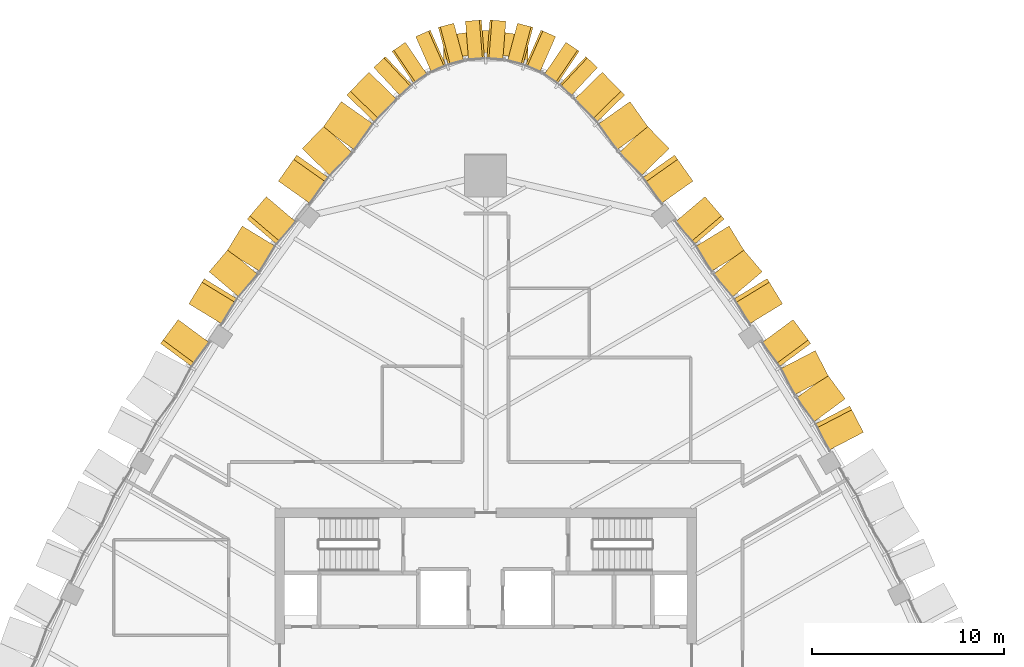
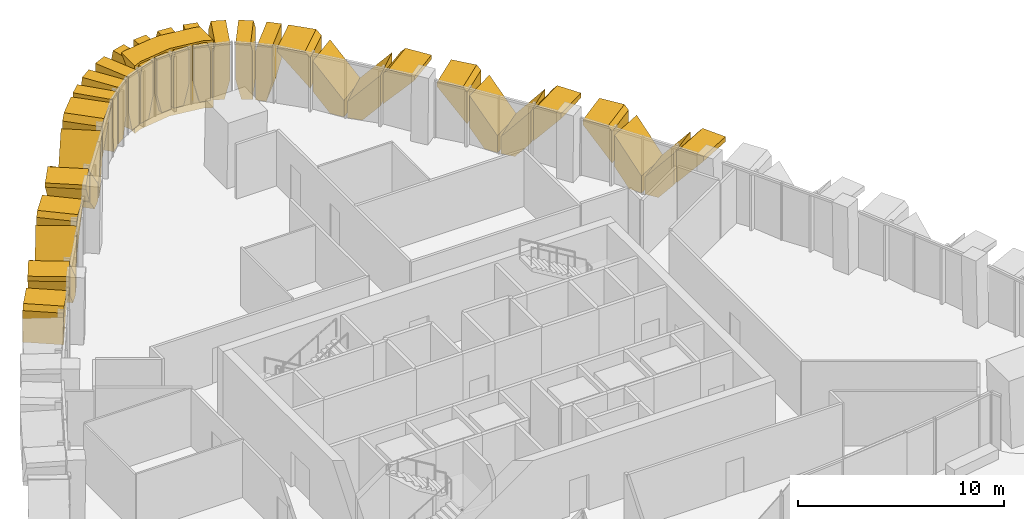
# One storey, part 21 of 22: 32 coverings.
"""IFC4 building model written with IfcOpenShell, lengths in metres."""

from ifc_helpers import new_model, si_unit, direction, frame, origin, place, context, subcontext, project, spatial, polyline, outline, extrude, material, layer, layer_set, type_object, element, save


model = new_model("IFC4")

# Units and contexts
model_context = context("Model", 3, precision=1e-05, world=origin(), true_north=direction((0.0, 1.0)))
body_context = subcontext(model_context, "Body", "Model", "MODEL_VIEW")
ifc_project = project(units=[si_unit("LENGTHUNIT", "METRE"), si_unit("AREAUNIT", "SQUARE_METRE"), si_unit("VOLUMEUNIT", "CUBIC_METRE"), si_unit("PLANEANGLEUNIT", "RADIAN"), si_unit("MASSUNIT", "GRAM", prefix="KILO")], contexts=[model_context])

# Site, building, storey
site_placement = place(None, origin())
site = spatial("IfcSite", under=ifc_project, at=site_placement, CompositionType="ELEMENT")
building_placement = place(site_placement, origin())
building = spatial("IfcBuilding", under=site, at=building_placement, Name="Sierra Prisma Convention Tower", CompositionType="ELEMENT")
storey_placement = place(building_placement, frame((0.0, 0.0, 243.0)))
storey = spatial("IfcBuildingStorey", under=building, at=storey_placement, Name="L54", CompositionType="ELEMENT", Elevation=243.0)

# Coverings
ifc_material_1 = material(Name="Aluminium composite bronze anodised", Category="aluminium")
ifc_layer_1 = layer(ifc_material_1, 1.199951171875)
ifc_layer_set_1 = layer_set([ifc_layer_1], Name="Bronze corner pier")
covering_type_1 = type_object("IfcCoveringType", Name="Bronze corner pier", PredefinedType="CLADDING", material=ifc_layer_set_1)
covering_1_placement = place(storey_placement, frame((0.0, 0.0, -0.60009765625)))
element("IfcCovering", 1, at=covering_1_placement, inside=storey, type_object=covering_type_1, Name="Corner pier N L54.1", PredefinedType="CLADDING", context=body_context, shape_type="SweptSolid", body=[
    extrude(outline(polyline([(-0.16796875, 32.9140625), (0.16796875, 32.9140625), (1.93359375, 32.66455078125), (2.199951171875, 32.587890625), (2.199951171875, 31.28173828125), (1.765380859375, 31.476318359375), (0.0, 31.725830078125), (-1.765380859375, 31.476318359375), (-2.199951171875, 31.28173828125), (-2.199951171875, 32.587890625), (-1.93359375, 32.66455078125), (-0.16796875, 32.9140625)])), origin(), (0.0, 0.0, 1.0), 4.0),
])
ifc_material_2 = material(Name="Aluminium 6063-T6 bronze anodised", Category="aluminium")
ifc_layer_2 = layer(ifc_material_2, 2.0)
ifc_layer_set_2 = layer_set([ifc_layer_2], Name="Bronze crystal chevron frame")
covering_type_2 = type_object("IfcCoveringType", Name="Bronze crystal chevron frame", PredefinedType="CLADDING", material=ifc_layer_set_2)
covering_2_placement = place(storey_placement, frame((19.70654296875, 11.9443359375, 3.280029296875), z_axis=(0.887407011781, 0.460986762327, -2.003971e-05), x_axis=(-1.7783379e-05, -9.238041e-06, -0.999999999799)))
element("IfcCovering", 2, at=covering_2_placement, inside=storey, type_object=covering_type_2, Name="CW-2 chevron frame NE4.1.1", PredefinedType="CLADDING", context=body_context, shape_type="SweptSolid", body=[
    extrude(outline(polyline([(0.0, 0.0), (0.2873535155673009, 4.867957904874568e-22), (2.1379394528027773, 1.546434609493759), (0.2666015625535323, 1.546434609493759), (-8.669087985209228e-10, 1.3235647104055284), (0.0, 0.0)])), origin(), (0.0, 0.0, -1.0), 2.0),
])
covering_3_placement = place(storey_placement, frame((18.7587890625, 13.69287109375, 2.85791015625), z_axis=(0.804377322373, 0.594118777365, 4.0412419e-05), x_axis=(3.2506834e-05, 2.4009777e-05, -0.999999999183)))
element("IfcCovering", 3, at=covering_3_placement, inside=storey, type_object=covering_type_2, Name="CW-2 chevron frame NE4.1.2", PredefinedType="CLADDING", context=body_context, shape_type="SweptSolid", body=[
    extrude(outline(polyline([(0.0, 0.0), (1.8713378890968995, 0.0), (2.857910160228843, 0.8245350232034887), (2.8579101555275166, 1.5463797416725895), (1.8505859376000793, 1.5463797416725895), (0.0, 0.0)])), origin(), (0.0, 0.0, -1.0), 2.0),
])
covering_4_placement = place(storey_placement, frame((17.90576171875, 14.831298828125, 0.0), z_axis=(0.88733288697, 0.461129425403, -2.7007512e-05), x_axis=(-0.461129425572, 0.887332887293, -2.908e-09)))
element("IfcCovering", 4, at=covering_4_placement, inside=storey, type_object=covering_type_2, Name="CW-2 chevron frame NE4.2.1", PredefinedType="CLADDING", context=body_context, shape_type="SweptSolid", body=[
    extrude(outline(polyline([(0.0, 0.0), (0.7220073322111573, 0.0), (1.546547167924217, 0.9865722704824117), (1.5465471624820681, 2.8579101604249297), (-2.929459502706784e-09, 1.007324218382626), (0.0, 0.0)])), origin(), (0.0, 0.0, -1.0), 2.0),
])
covering_5_placement = place(storey_placement, frame((16.0390625, 17.82373046875, 3.280029296875), z_axis=(0.804315065709, 0.594203058426, -2.0764976e-05), x_axis=(0.594203058554, -0.804315065882, 7.03e-10)))
element("IfcCovering", 5, at=covering_5_placement, inside=storey, type_object=covering_type_2, Name="CW-2 chevron frame NE4.2.2", PredefinedType="CLADDING", context=body_context, shape_type="SweptSolid", body=[
    extrude(outline(polyline([(0.0, 0.0), (1.323764711175102, -1.6940658945086007e-21), (1.5465247979246055, 0.2666015636449027), (1.5465247966087905, 2.1379394538664567), (-2.0205013322461765e-10, 0.28735351556304883), (0.0, 0.0)])), origin(), (0.0, 0.0, -1.0), 2.0),
])
covering_6_placement = place(storey_placement, frame((15.485107421875, 18.648681640625, 3.280029296875), z_axis=(0.853797855717, 0.520604665918, 5.8280275e-05), x_axis=(4.9759574e-05, 3.0340983e-05, -0.999999998302)))
element("IfcCovering", 6, at=covering_6_placement, inside=storey, type_object=covering_type_2, Name="CW-2 chevron frame NE5.1.1", PredefinedType="CLADDING", context=body_context, shape_type="SweptSolid", body=[
    extrude(outline(polyline([(0.0, 0.0), (0.29028320263201346, 9.835177483255499e-22), (2.1401367160110016, 1.5386694778311027), (0.2636718754477927, 1.5386694778311027), (-7.359555786188091e-09, 1.319434776697294), (0.0, 0.0)])), origin(), (0.0, 0.0, -1.0), 2.0),
])
covering_7_placement = place(storey_placement, frame((14.424072265625, 20.32177734375, 2.860107421875), z_axis=(0.761991402666, 0.647587138373, -2.1811883e-05), x_axis=(-1.6620467e-05, -1.4125095e-05, -0.999999999762)))
element("IfcCovering", 7, at=covering_7_placement, inside=storey, type_object=covering_type_2, Name="CW-2 chevron frame NE5.1.2", PredefinedType="CLADDING", context=body_context, shape_type="SweptSolid", body=[
    extrude(outline(polyline([(0.0, 0.0), (1.8764648433036284, 0.0), (2.8601074230359966, 0.8183685841348044), (2.860107421662616, 1.5388904803092354), (1.8498535156529348, 1.5388904803092354), (0.0, 0.0)])), origin(), (0.0, 0.0, -1.0), 2.0),
])
covering_8_placement = place(storey_placement, frame((13.500244140625, 21.3935546875, 0.0), z_axis=(0.853851317165, 0.5205169814, 1.5829665e-05), x_axis=(-0.520516981465, 0.853851317272, -1.004e-09)))
element("IfcCovering", 8, at=covering_8_placement, inside=storey, type_object=covering_type_2, Name="CW-2 chevron frame NE5.2.1", PredefinedType="CLADDING", context=body_context, shape_type="SweptSolid", body=[
    extrude(outline(polyline([(0.0, 0.0), (0.7205125495739373, 0.0), (1.5388779301020332, 0.9836425797931762), (1.538877928218181, 2.860107423308076), (-1.0142311166250964e-09, 1.0102539061234264), (0.0, 0.0)])), origin(), (0.0, 0.0, -1.0), 2.0),
])
covering_9_placement = place(storey_placement, frame((11.442626953125, 24.2392578125, 3.280029296875), z_axis=(0.761833775687, 0.647772565857, -3.3847329e-05), x_axis=(0.647772566228, -0.761833776123, 1.881e-09)))
element("IfcCovering", 9, at=covering_9_placement, inside=storey, type_object=covering_type_2, Name="CW-2 chevron frame NE5.2.2", PredefinedType="CLADDING", context=body_context, shape_type="SweptSolid", body=[
    extrude(outline(polyline([(0.0, 0.0), (1.319414406900424, 3.3881317890172014e-21), (1.5388625924857067, 0.26367187804621867), (1.5388625889553673, 2.140136720721341), (-5.461323585804924e-10, 0.2902832029587198), (0.0, 0.0)])), origin(), (0.0, 0.0, -1.0), 2.0),
])
covering_10_placement = place(storey_placement, frame((10.815673828125, 25.049072265625, 3.280029296875), z_axis=(0.816358229759, 0.577545874121, 6.3173389e-05), x_axis=(5.1572116e-05, 3.648553e-05, -0.999999998005)))
element("IfcCovering", 10, at=covering_10_placement, inside=storey, type_object=covering_type_2, Name="CW-2 chevron frame NE6.1.1", PredefinedType="CLADDING", context=body_context, shape_type="SweptSolid", body=[
    extrude(outline(polyline([(0.0, 0.0), (0.24755859325601207, 0.0), (2.1076660126440214, 1.662165388581207), (0.3068847662373697, 1.662165388581207), (-8.174672575940694e-09, 1.3880320327804716), (0.0, 0.0)])), origin(), (0.0, 0.0, -1.0), 2.0),
])
covering_11_placement = place(storey_placement, frame((9.572021484375, 26.746826171875, 2.82763671875), z_axis=(0.715954398234, 0.69814704598, -4.288161e-05), x_axis=(-3.0701278e-05, -2.993767e-05, -0.999999999081)))
element("IfcCovering", 11, at=covering_11_placement, inside=storey, type_object=covering_type_2, Name="CW-2 chevron frame NE6.1.2", PredefinedType="CLADDING", context=body_context, shape_type="SweptSolid", body=[
    extrude(outline(polyline([(0.0, 0.0), (1.8007812483443326, 0.0), (2.8276367231288995, 0.9177903527347286), (2.8276367180384403, 1.6624191294531445), (1.8601074220530023, 1.6624191294531445), (0.0, 0.0)])), origin(), (0.0, 0.0, -1.0), 2.0),
])
covering_12_placement = place(storey_placement, frame((8.49072265625, 27.841552734375, 0.0), z_axis=(0.81637702307, 0.577519311418, 3.3790264e-05), x_axis=(-0.577519311748, 0.816377023537, -4.245e-09)))
element("IfcCovering", 12, at=covering_12_placement, inside=storey, type_object=covering_type_2, Name="CW-2 chevron frame NE6.2.1", PredefinedType="CLADDING", context=body_context, shape_type="SweptSolid", body=[
    extrude(outline(polyline([(0.0, 0.0), (0.7445777091293481, 0.0), (1.6621653839730064, 1.026855476392281), (1.6621653763285096, 2.827636725364231), (-4.107258838364316e-09, 0.9675292963226462), (0.0, 0.0)])), origin(), (0.0, 0.0, -1.0), 2.0),
])
covering_13_placement = place(storey_placement, frame((6.08642578125, 30.729248046875, 3.280029296875), z_axis=(0.715937335706, 0.698164544598, -3.049929e-06), x_axis=(0.698164544601, -0.715937335709, 1.4e-11)))
element("IfcCovering", 13, at=covering_13_placement, inside=storey, type_object=covering_type_2, Name="CW-2 chevron frame NE6.2.2", PredefinedType="CLADDING", context=body_context, shape_type="SweptSolid", body=[
    extrude(outline(polyline([(0.0, 0.0), (1.3879101645158527, -4.235164736271502e-22), (1.6620738903117391, 0.30688476564924494), (1.6620738902870174, 2.107666015640869), (-3.398584499945779e-12, 0.24755859374884856), (0.0, 0.0)])), origin(), (0.0, 0.0, -1.0), 2.0),
])
covering_14_placement = place(storey_placement, frame((5.836181640625, 30.974365234375, 3.280029296875), z_axis=(0.683469208735, 0.729979342636, -5.94214e-06), x_axis=(-4.06127e-06, -4.337639e-06, -0.999999999982)))
element("IfcCovering", 14, at=covering_14_placement, inside=storey, type_object=covering_type_2, Name="CW-2 chevron frame N1.1.1", PredefinedType="CLADDING", context=body_context, shape_type="SweptSolid", body=[
    extrude(outline(polyline([(0.0, 0.0), (2.1027832030878764, 0.0), (3.2800292969880185, 0.2825821993792876), (3.2800292968518105, 0.8344439774275082), (0.4362792969020154, 0.8344439774275082), (-2.6089049924209542e-11, 0.7297711228347075), (0.0, 0.0)])), origin(), (0.0, 0.0, -1.0), 2.0),
])
covering_15_placement = place(storey_placement, frame((4.880615234375, 31.8212890625, 0.0), z_axis=(0.560792470198, 0.827956401993, -4.2056823e-05), x_axis=(-0.827956402725, 0.560792470693, -9.587e-09)))
element("IfcCovering", 15, at=covering_15_placement, inside=storey, type_object=covering_type_2, Name="CW-2 chevron frame N1.1.2", PredefinedType="CLADDING", context=body_context, shape_type="SweptSolid", body=[
    extrude(outline(polyline([(0.0, 0.0), (0.5522087878768216, 1.6940658945086007e-21), (0.8345106786632012, 1.1772461022464615), (0.8345106585044846, 3.280029303511785), (0.10475473134947566, 3.2800292996622424), (-2.726213054868541e-08, 2.8437499974850207), (0.0, 0.0)])), origin(), (0.0, 0.0, -1.0), 2.0),
])
covering_16_placement = place(storey_placement, frame((3.650146484375, 32.587890625, 3.280029296875), z_axis=(0.403501857643, 0.914978825362, 4.106061e-06), x_axis=(1.656803e-06, 3.756959e-06, -0.999999999992)))
element("IfcCovering", 16, at=covering_16_placement, inside=storey, type_object=covering_type_2, Name="CW-2 chevron frame N2.1.1", PredefinedType="CLADDING", context=body_context, shape_type="SweptSolid", body=[
    extrude(outline(polyline([(0.0, 0.0), (2.1027832031072737, 0.0), (3.2800292968339617, 0.28256785732127765), (3.280029296852855, 0.8343671505437322), (0.43627929687682704, 0.8343671505437322), (-1.133951179908418e-10, 0.7297583807883705), (0.0, 0.0)])), origin(), (0.0, 0.0, -1.0), 2.0),
])
covering_17_placement = place(storey_placement, frame((1.9345703125, 33.212158203125, 0.0), z_axis=(0.255439545418, 0.966825029999, 2.210999e-06), x_axis=(-0.225491339169, 0.059573607801, 0.972422048914)))
element("IfcCovering", 17, at=covering_17_placement, inside=storey, type_object=covering_type_2, Name="CW-2 chevron frame N2.1.2", PredefinedType="CLADDING", context=body_context, shape_type="SweptSolid", body=[
    extrude(outline(polyline([(0.0, 0.0), (1.210632867422233, 0.0), (3.255425618226397, 0.4904281859576997), (3.0852696818939123, 1.1998768593085711), (2.636590328765478, 1.1999900474795706), (-0.12873487283290827, 0.5367475640202316), (0.0, 0.0)])), origin(), (0.0, 0.0, -1.0), 2.0),
])
covering_18_placement = place(storey_placement, frame((1.053466796875, 33.3876953125, 3.280029296875), z_axis=(0.078706167184, 0.996897857931, 1.0001348e-05), x_axis=(7.87168e-07, 9.970323e-06, -0.99999999995)))
element("IfcCovering", 18, at=covering_18_placement, inside=storey, type_object=covering_type_2, Name="CW-2 chevron frame N3.1.1", PredefinedType="CLADDING", context=body_context, shape_type="SweptSolid", body=[
    extrude(outline(polyline([(0.0, 0.0), (2.1027832030198326, -2.2264083174747586e-22), (3.2800292966364677, 0.28236950475241546), (3.2800292967441917, 0.8343757229282058), (0.43627929688641753, 0.8343757229282058), (-6.675255362756045e-10, 0.7297977456229896), (0.0, 0.0)])), origin(), (0.0, 0.0, -1.0), 2.0),
])
covering_19_placement = place(storey_placement, frame((-0.2216796875, 33.453369140625, 0.0), z_axis=(-0.078706167184, 0.996897857931, 1.0001348e-05), x_axis=(-0.996897857981, -0.078706167188, 1.95e-10)))
element("IfcCovering", 19, at=covering_19_placement, inside=storey, type_object=covering_type_2, Name="CW-2 chevron frame N3.1.2", PredefinedType="CLADDING", context=body_context, shape_type="SweptSolid", body=[
    extrude(outline(polyline([(0.0, 0.0), (0.5520062181757903, 5.293955920339377e-23), (0.8343757231579457, 1.1772460935615308), (0.8343757235683046, 3.280029296581363), (0.10457797794531488, 3.2800292973913088), (5.549587076341636e-10, 2.843749999857774), (0.0, 0.0)])), origin(), (0.0, 0.0, -1.0), 2.0),
])
covering_20_placement = place(storey_placement, frame((-1.66162109375, 33.284423828125, 3.280029296875), z_axis=(-0.255439545418, 0.966825029999, 2.210999e-06), x_axis=(-5.64777e-07, 2.137649e-06, -0.999999999998)))
element("IfcCovering", 20, at=covering_20_placement, inside=storey, type_object=covering_type_2, Name="CW-2 chevron frame N4.1.1", PredefinedType="CLADDING", context=body_context, shape_type="SweptSolid", body=[
    extrude(outline(polyline([(0.0, 0.0), (2.10278320311986, 0.0), (3.2800292965437556, 0.2823536350060958), (3.2800292968313602, 0.8343233941097604), (0.4362792968383109, 0.8343233941097604), (-3.721755358261052e-10, 0.7295686827081437), (0.0, 0.0)])), origin(), (0.0, 0.0, -1.0), 2.0),
])
covering_21_placement = place(storey_placement, frame((-3.3916015625, 32.701904296875, 0.0), z_axis=(-0.403501857643, 0.914978825362, 4.106061e-06), x_axis=(-0.21355027543, -0.094179147218, 0.972381904446)))
element("IfcCovering", 21, at=covering_21_placement, inside=storey, type_object=covering_type_2, Name="CW-2 chevron frame N4.1.2", PredefinedType="CLADDING", context=body_context, shape_type="SweptSolid", body=[
    extrude(outline(polyline([(0.0, 0.0), (1.2106828483074674, 5.551115123125783e-17), (3.2553911839982432, 0.4907800130677135), (3.0850689049832254, 1.2003838571962488), (2.6364236013500744, 1.2002779330227251), (-0.12878743941692367, 0.5365596476154655), (0.0, 0.0)])), origin(), (0.0, 0.0, -1.0), 2.0),
])
covering_22_placement = place(storey_placement, frame((-4.189697265625, 32.289306640625, 3.280029296875), z_axis=(-0.560792470198, 0.827956401993, -4.2056823e-05), x_axis=(2.358515e-05, -3.4821216e-05, -0.999999999116)))
element("IfcCovering", 22, at=covering_22_placement, inside=storey, type_object=covering_type_2, Name="CW-2 chevron frame N5.1.1", PredefinedType="CLADDING", context=body_context, shape_type="SweptSolid", body=[
    extrude(outline(polyline([(0.0, 0.0), (2.1027832012653236, 7.124506615919227e-21), (3.280029300805446, 0.282301902072265), (3.2800292955115955, 0.8345106899490866), (0.43627929802657445, 0.8345106899490866), (-3.1463965820769925e-09, 0.7297559271550089), (0.0, 0.0)])), origin(), (0.0, 0.0, -1.0), 2.0),
])
covering_23_placement = place(storey_placement, frame((-5.22705078125, 31.544677734375, 0.0), z_axis=(-0.683469208735, 0.729979342636, -5.94214e-06), x_axis=(-0.729979342649, -0.683469208747, -2.47e-10)))
element("IfcCovering", 23, at=covering_23_placement, inside=storey, type_object=covering_type_2, Name="CW-2 chevron frame N5.1.2", PredefinedType="CLADDING", context=body_context, shape_type="SweptSolid", body=[
    extrude(outline(polyline([(0.0, 0.0), (0.5518617780482206, -2.117582368135751e-22), (0.834443977136946, 1.1772460939698872), (0.8344439766179472, 3.2800292970577636), (0.10467285378323989, 3.2800292969037343), (-7.018804898744934e-10, 2.843749999949795), (0.0, 0.0)])), origin(), (0.0, 0.0, -1.0), 2.0),
])
covering_24_placement = place(storey_placement, frame((-6.08642578125, 30.729248046875, 3.280029296875), z_axis=(-0.715937335706, 0.698164544598, -3.049929e-06), x_axis=(2.183558e-06, -2.129352e-06, -0.999999999995)))
element("IfcCovering", 24, at=covering_24_placement, inside=storey, type_object=covering_type_2, Name="CW-2 chevron frame NW1.1.1", PredefinedType="CLADDING", context=body_context, shape_type="SweptSolid", body=[
    extrude(outline(polyline([(0.0, 0.0), (0.2475585937488486, -5.242257132054813e-23), (2.107666015618052, 1.6620738903159522), (0.3068847656264273, 1.6620738903159522), (-1.9053792078272243e-11, 1.3879101645158527), (0.0, 0.0)])), origin(), (0.0, 0.0, -1.0), 2.0),
])
covering_25_placement = place(storey_placement, frame((-7.53076171875, 29.198486328125, 2.82763671875), z_axis=(-0.81637702307, 0.577519311418, 3.3790264e-05), x_axis=(-2.7585595e-05, 1.951453e-05, -0.999999999429)))
element("IfcCovering", 25, at=covering_25_placement, inside=storey, type_object=covering_type_2, Name="CW-2 chevron frame NW1.1.2", PredefinedType="CLADDING", context=body_context, shape_type="SweptSolid", body=[
    extrude(outline(polyline([(0.0, 0.0), (1.8007812489719504, 0.0), (2.82763672146898, 0.917587679202763), (2.8276367183081734, 1.6621653883321112), (1.8601074219855267, 1.6621653883321112), (0.0, 0.0)])), origin(), (0.0, 0.0, -1.0), 2.0),
])
covering_26_placement = place(storey_placement, frame((-8.411376953125, 27.93701171875, 0.0), z_axis=(-0.715954398234, 0.69814704598, -4.288161e-05), x_axis=(-0.698147046622, -0.715954398893, -6.836e-09)))
element("IfcCovering", 26, at=covering_26_placement, inside=storey, type_object=covering_type_2, Name="CW-2 chevron frame NW1.2.1", PredefinedType="CLADDING", context=body_context, shape_type="SweptSolid", body=[
    extrude(outline(polyline([(0.0, 0.0), (0.744628776718416, -3.3881317890172014e-21), (1.6624191224333162, 1.0268554810588004), (1.6624191101227475, 2.827636729403133), (-6.614260387797537e-09, 0.967529295985438), (0.0, 0.0)])), origin(), (0.0, 0.0, -1.0), 2.0),
])
covering_27_placement = place(storey_placement, frame((-10.815673828125, 25.049072265625, 3.280029296875), z_axis=(-0.816358229759, 0.577545874121, 6.3173389e-05), x_axis=(0.577545875273, 0.816358231388, 5.889e-09)))
element("IfcCovering", 27, at=covering_27_placement, inside=storey, type_object=covering_type_2, Name="CW-2 chevron frame NW1.2.2", PredefinedType="CLADDING", context=body_context, shape_type="SweptSolid", body=[
    extrude(outline(polyline([(0.0, 0.0), (1.3880320327804716, -6.776263578034403e-21), (1.6621653867738406, 0.30688477602652264), (1.662165376168324, 2.1076660224331745), (-1.4579709944989009e-09, 0.24755859325601207), (0.0, 0.0)])), origin(), (0.0, 0.0, -1.0), 2.0),
])
covering_28_placement = place(storey_placement, frame((-11.443603515625, 24.23779296875, 3.280029296875), z_axis=(-0.761785381906, 0.647829477035, 2.4480713e-05), x_axis=(-1.8649049e-05, 1.5859327e-05, -0.9999999997)))
element("IfcCovering", 28, at=covering_28_placement, inside=storey, type_object=covering_type_2, Name="CW-2 chevron frame NW2.1.1", PredefinedType="CLADDING", context=body_context, shape_type="SweptSolid", body=[
    extrude(outline(polyline([(0.0, 0.0), (0.2905273436629427, 0.0), (2.140136718266722, 1.5383324610089038), (0.26367187507900997, 1.5383324610089038), (-1.2986899056053821e-09, 1.3190702644446937), (0.0, 0.0)])), origin(), (0.0, 0.0, -1.0), 2.0),
])
covering_29_placement = place(storey_placement, frame((-12.699951171875, 22.70654296875, 2.860107421875), z_axis=(-0.853875059873, 0.5204780323, 4.443926e-06), x_axis=(-3.794558e-06, 2.312966e-06, -0.99999999999)))
element("IfcCovering", 29, at=covering_29_placement, inside=storey, type_object=covering_type_2, Name="CW-2 chevron frame NW2.1.2", PredefinedType="CLADDING", context=body_context, shape_type="SweptSolid", body=[
    extrude(outline(polyline([(0.0, 0.0), (1.8764648437314715, 0.0), (2.860107421923197, 0.8180298424466214), (2.860107421866184, 1.5385423933553795), (1.849609375001162, 1.5385423933553795), (0.0, 0.0)])), origin(), (0.0, 0.0, -1.0), 2.0),
])
covering_30_placement = place(storey_placement, frame((-13.427978515625, 21.49365234375, 0.0), z_axis=(-0.761924584303, 0.647665753135, 7.210787e-06), x_axis=(-0.647665753151, -0.761924584322, -2.08e-10)))
element("IfcCovering", 30, at=covering_30_placement, inside=storey, type_object=covering_type_2, Name="CW-2 chevron frame NW2.2.1", PredefinedType="CLADDING", context=body_context, shape_type="SweptSolid", body=[
    extrude(outline(polyline([(0.0, 0.0), (0.720335869098885, 4.235164736271502e-22), (1.5383603191169462, 0.9836425784711472), (1.5383603187259145, 2.8601074221723635), (-2.105750758376851e-10, 1.0104980468487292), (0.0, 0.0)])), origin(), (0.0, 0.0, -1.0), 2.0),
])
covering_31_placement = place(storey_placement, frame((-15.485107421875, 18.648681640625, 3.280029296875), z_axis=(-0.85376194162, 0.520663563723, -2.1257061e-05), x_axis=(0.520663563841, 0.853761941813, 7.42e-10)))
element("IfcCovering", 31, at=covering_31_placement, inside=storey, type_object=covering_type_2, Name="CW-2 chevron frame NW2.2.2", PredefinedType="CLADDING", context=body_context, shape_type="SweptSolid", body=[
    extrude(outline(polyline([(0.0, 0.0), (1.319099229167073, -1.6940658945086007e-21), (1.5384610349401442, 0.26367187620158944), (1.5384610335472224, 2.140136719527637), (-2.156618587955583e-10, 0.29052734368436073), (0.0, 0.0)])), origin(), (0.0, 0.0, -1.0), 2.0),
])
covering_32_placement = place(storey_placement, frame((-16.039306640625, 17.823486328125, 3.280029296875), z_axis=(-0.804341321324, 0.594167515902, 4.3100856e-05), x_axis=(-3.4667799e-05, 2.5609128e-05, -0.999999999071)))
element("IfcCovering", 32, at=covering_32_placement, inside=storey, type_object=covering_type_2, Name="CW-2 chevron frame NW3.1.1", PredefinedType="CLADDING", context=body_context, shape_type="SweptSolid", body=[
    extrude(outline(polyline([(0.0, 0.0), (0.28759765598286724, -1.9488375231749332e-21), (2.137939451634454, 1.5461833640248912), (0.2666015627476307, 1.5461833640248912), (-4.010619505483815e-09, 1.3236196474731106), (0.0, 0.0)])), origin(), (0.0, 0.0, -1.0), 2.0),
])

save(model, "model.ifc")
